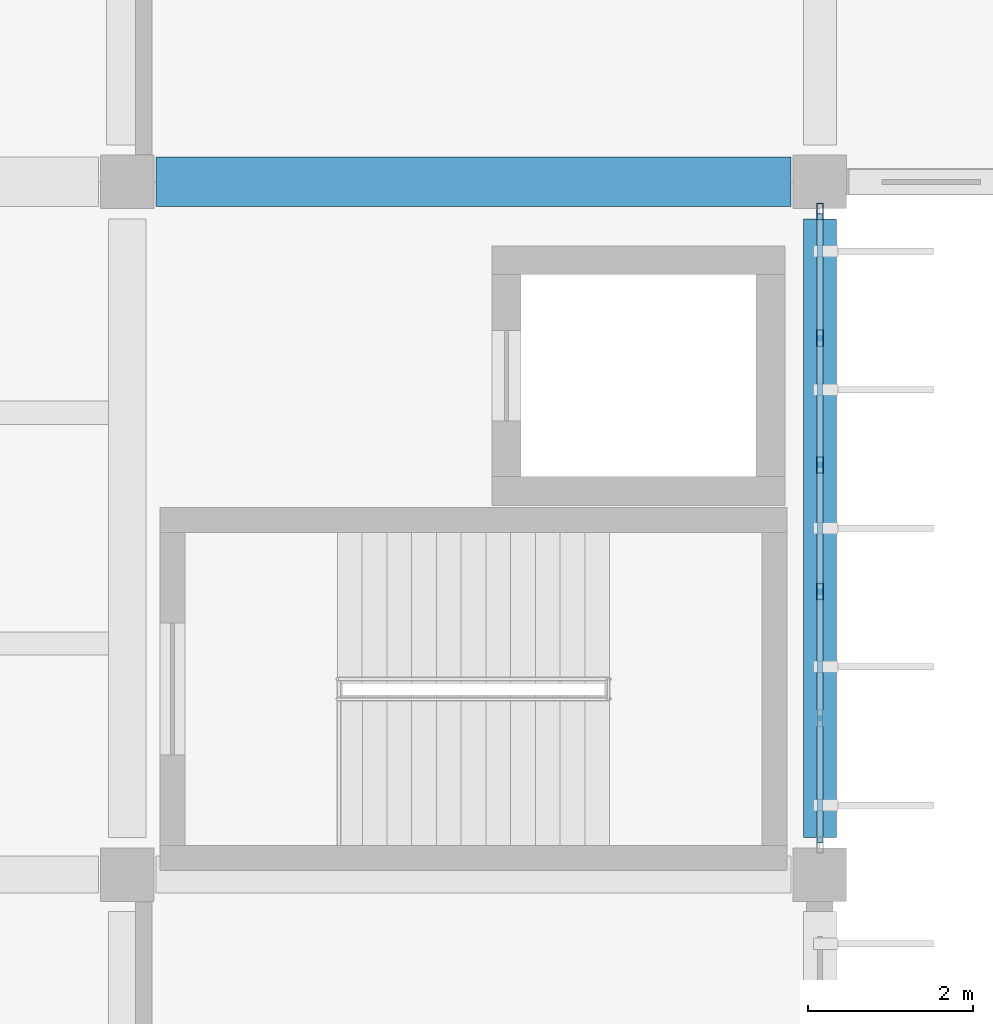
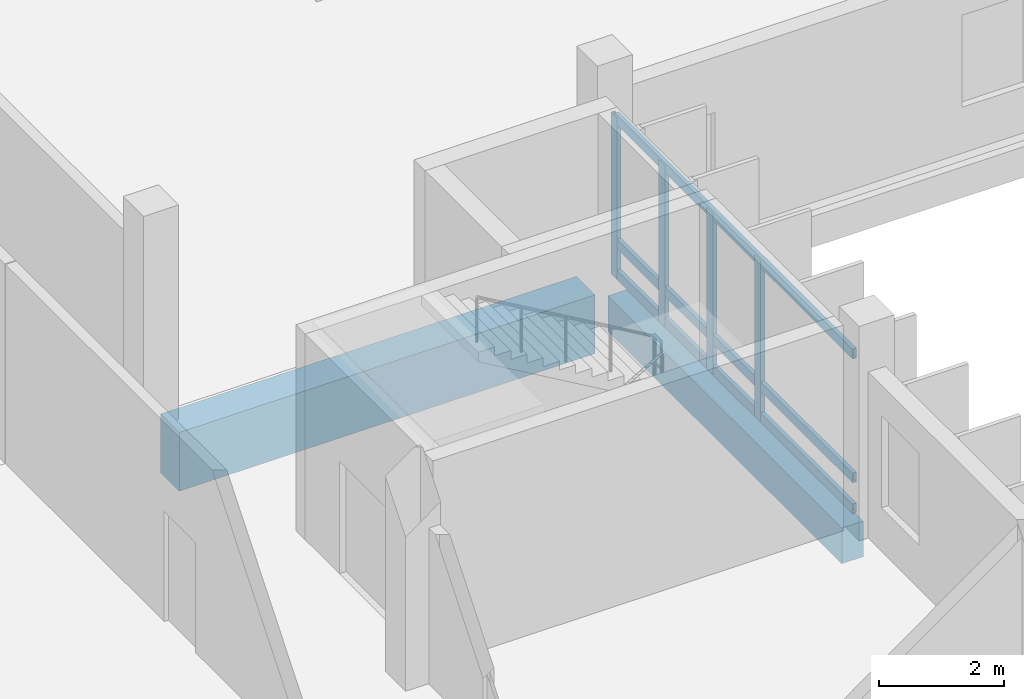
# One storey, part 59 of 101: 7 members, 2 beams, 1 element without a shape of its own.
"""IFC4 building model written with IfcOpenShell, lengths in metres."""

import ifcopenshell
import ifcopenshell.guid

model = None  # the IFC model being written
_history = None  # IfcOwnerHistory: only IFC2X3 demands one
_inside = {}  # id of a spatial element -> (the spatial element, [elements in it])
_under = {}  # id of a project, library or spatial element -> (it, [spatial elements below it])
_declared = {}  # id of a project -> (the project, [libraries it declares])
_typed = {}  # id of a type object -> (the type object, [elements of that type])
_made_of = {}  # id of a material, layer set ... -> (it, [elements and type objects made of it])


def new_model(schema):
    """Start an empty IFC model of exactly this schema.

    Asked for "IFC4X3", IfcOpenShell would pick the latest addendum, in which some entities
    have other attributes; the version numbers below select the first issue.
    IFC2X3 requires an IfcOwnerHistory on every rooted entity: one is made here for all.
    """
    global model, _history
    if schema == "IFC4X3":
        model = ifcopenshell.file(schema_version=(4, 3, 0, 0))
    else:
        model = ifcopenshell.file(schema=schema)
    _inside.clear()
    _under.clear()
    _declared.clear()
    _typed.clear()
    _made_of.clear()
    _history = None
    if model.schema == "IFC2X3":
        org = make("IfcOrganization", Name="unknown")
        user = make(
            "IfcPersonAndOrganization",
            ThePerson=make("IfcPerson", FamilyName="unknown"),
            TheOrganization=org,
        )
        app = make(
            "IfcApplication",
            ApplicationDeveloper=org,
            Version="unknown",
            ApplicationFullName="unknown",
            ApplicationIdentifier="unknown",
        )
        _history = make(
            "IfcOwnerHistory",
            OwningUser=user,
            OwningApplication=app,
            ChangeAction="ADDED",
            CreationDate=0,
        )
    return model


def make(cls, **values):
    """One entity of the class cls with the attributes given. An attribute that is None is left unset."""
    return model.create_entity(
        cls, **{name: value for name, value in values.items() if value is not None}
    )


def rooted(cls, **values):
    """An entity with a GlobalId (a new one), such as an element, a storey or a relation."""
    return make(cls, GlobalId=ifcopenshell.guid.new(), OwnerHistory=_history, **values)


def si_unit(unit_type, name, prefix=None):
    """IfcSIUnit, for example si_unit("LENGTHUNIT", "METRE", prefix="MILLI")."""
    return make("IfcSIUnit", UnitType=unit_type, Prefix=prefix, Name=name)


def assignment(units):
    """IfcUnitAssignment: the units of a project."""
    return None if units is None else make("IfcUnitAssignment", Units=units)


def point(xyz):
    """IfcCartesianPoint."""
    return None if xyz is None else make("IfcCartesianPoint", Coordinates=xyz)


def direction(xyz):
    """IfcDirection."""
    return None if xyz is None else make("IfcDirection", DirectionRatios=xyz)


def frame(location, z_axis=None, x_axis=None):
    """IfcAxis2Placement3D, a coordinate frame: its origin and axes. An axis left out is left unset."""
    return make(
        "IfcAxis2Placement3D",
        Location=point(location),
        Axis=direction(z_axis),
        RefDirection=direction(x_axis),
    )


def frame_2d(location, x_axis=None):
    """IfcAxis2Placement2D, a coordinate frame in the plane: its origin and x axis."""
    return make(
        "IfcAxis2Placement2D", Location=point(location), RefDirection=direction(x_axis)
    )


def origin():
    """The frame at (0, 0, 0) with its axes left unset."""
    return frame((0.0, 0.0, 0.0))


def origin_2d():
    """The frame at (0, 0) in the plane with its x axis left unset."""
    return frame_2d((0.0, 0.0))


def place(relative_to, where):
    """IfcLocalPlacement: puts the frame where relative to a parent placement (None: the world)."""
    return make(
        "IfcLocalPlacement", PlacementRelTo=relative_to, RelativePlacement=where
    )


def context(
    kind, dimensions, precision=None, world=None, true_north=None, identifier=None
):
    """IfcGeometricRepresentationContext, for example the 3D "Model" context."""
    return make(
        "IfcGeometricRepresentationContext",
        ContextIdentifier=identifier,
        ContextType=kind,
        CoordinateSpaceDimension=dimensions,
        Precision=precision,
        WorldCoordinateSystem=world,
        TrueNorth=true_north,
    )


def subcontext(parent, identifier, kind, view, scale=None):
    """IfcGeometricRepresentationSubContext, for example "Body" below "Model"."""
    return make(
        "IfcGeometricRepresentationSubContext",
        ContextIdentifier=identifier,
        ContextType=kind,
        ParentContext=parent,
        TargetScale=scale,
        TargetView=view,
    )


def project(units=None, contexts=None):
    """IfcProject with its units and contexts."""
    return rooted(
        "IfcProject",
        Name="project",
        RepresentationContexts=contexts,
        UnitsInContext=assignment(units),
    )


def spatial(cls, under=None, at=None, **own):
    """A site, building, storey or space (cls), placed at a placement, below another one or the project."""
    s = rooted(cls, ObjectPlacement=at, **own)
    if under is not None:
        _under.setdefault(under.id(), (under, []))[1].append(s)
    return s


def profile(cls, at=None, kind="AREA", **sizes):
    """A parametric profile (cls). Its sizes go by their IFC names, for example OverallWidth=200.0."""
    return make(cls, ProfileType=kind, Position=at, **sizes)


def rectangle(**sizes):
    """IfcRectangleProfileDef."""
    return profile("IfcRectangleProfileDef", **sizes)


def hollow_rectangle(**sizes):
    """IfcRectangleHollowProfileDef."""
    return profile("IfcRectangleHollowProfileDef", **sizes)


def extrude(swept, where, along, depth):
    """IfcExtrudedAreaSolid: the profile swept, set in the frame where, extruded along a direction by depth."""
    return make(
        "IfcExtrudedAreaSolid",
        SweptArea=swept,
        Position=where,
        ExtrudedDirection=direction(along),
        Depth=depth,
    )


def shape(context_of_items, identifier, shape_type, items):
    """IfcShapeRepresentation: the items that make up one representation, for example the "Body"."""
    return make(
        "IfcShapeRepresentation",
        ContextOfItems=context_of_items,
        RepresentationIdentifier=identifier,
        RepresentationType=shape_type,
        Items=items,
    )


def material(Name=None, Category=None):
    """IfcMaterial."""
    return make("IfcMaterial", Name=Name, Category=Category)


def layer(
    of_material, thickness, ventilated=None, Name=None, Category=None, Priority=None
):
    """IfcMaterialLayer: one layer of a wall or slab, of a material (None: an air gap)."""
    return make(
        "IfcMaterialLayer",
        Material=of_material,
        LayerThickness=thickness,
        IsVentilated=ventilated,
        Name=Name,
        Category=Category,
        Priority=Priority,
    )


def layer_set(layers, Name=None):
    """IfcMaterialLayerSet."""
    return make("IfcMaterialLayerSet", MaterialLayers=layers, LayerSetName=Name)


def material_profile(
    of_material, cross_section, Name=None, Category=None, Priority=None
):
    """IfcMaterialProfile: a cross section and its material."""
    return make(
        "IfcMaterialProfile",
        Name=Name,
        Material=of_material,
        Profile=cross_section,
        Priority=Priority,
        Category=Category,
    )


def profile_set(profiles, Name=None, composite=None):
    """IfcMaterialProfileSet."""
    return make(
        "IfcMaterialProfileSet",
        Name=Name,
        MaterialProfiles=profiles,
        CompositeProfile=composite,
    )


def made_of(thing, what):
    """Note that an element or type object is made of a material, layer set ...; save() writes the relation."""
    if what is not None:
        _made_of.setdefault(what.id(), (what, []))[1].append(thing)
    return thing


def type_object(cls, material=None, **own):
    """A type object (cls), such as IfcWallType, which elements share."""
    return made_of(rooted(cls, **own), material)


def element(
    cls,
    number,
    at=None,
    inside=None,
    cuts=None,
    type_object=None,
    material=None,
    context=None,
    identifier="Body",
    shape_type=None,
    held_by="IfcProductDefinitionShape",
    body=None,
    shapes=None,
    **own,
):
    """One element of the class cls, such as IfcWall. Its Tag is "e" and its number.

    at: its placement. inside: the storey or other place that contains it. cuts: it is an
    opening in that element (IfcRelVoidsElement). A single representation is given by context,
    identifier, shape_type and body (its items); several are given by shapes. held_by: the class
    of the entity that holds the representations. save() writes the other relations.
    """
    e = rooted(cls, Tag="e%d" % number, ObjectPlacement=at, **own)
    if body is not None:
        shapes = [shape(context, identifier, shape_type, body)]
    if shapes is not None:
        e.Representation = make(held_by, Representations=shapes)
    if inside is not None:
        _inside.setdefault(inside.id(), (inside, []))[1].append(e)
    if cuts is not None:
        rooted(
            "IfcRelVoidsElement", RelatingBuildingElement=cuts, RelatedOpeningElement=e
        )
    if type_object is not None:
        _typed.setdefault(type_object.id(), (type_object, []))[1].append(e)
    return made_of(e, material)


def aggregate(whole, parts):
    """IfcRelAggregates: a whole, such as a stair, and the parts it consists of."""
    return rooted("IfcRelAggregates", RelatingObject=whole, RelatedObjects=parts)


def save(model, path):
    """Write the relations noted so far, then the file.

    IfcRelAggregates (storeys below a building ...), IfcRelContainedInSpatialStructure (elements
    in a storey), IfcRelDefinesByType, IfcRelAssociatesMaterial and IfcRelDeclares: one each for
    every whole, place, type object, material and project.
    """
    for whole, parts in _under.values():
        aggregate(whole, parts)
    for where, things in _inside.values():
        rooted(
            "IfcRelContainedInSpatialStructure",
            RelatedElements=things,
            RelatingStructure=where,
        )
    for kind, things in _typed.values():
        rooted("IfcRelDefinesByType", RelatedObjects=things, RelatingType=kind)
    for what, things in _made_of.values():
        rooted("IfcRelAssociatesMaterial", RelatedObjects=things, RelatingMaterial=what)
    for by, libraries in _declared.values():
        rooted("IfcRelDeclares", RelatingContext=by, RelatedDefinitions=libraries)
    model.write(path)


model = new_model("IFC4")

# Units and contexts
model_context = context("Model", 3, precision=1e-05, world=origin(), true_north=direction((0.0, 1.0)))
body_context = subcontext(model_context, "Body", "Model", "MODEL_VIEW")
ifc_project = project(units=[si_unit("LENGTHUNIT", "METRE"), si_unit("AREAUNIT", "SQUARE_METRE"), si_unit("VOLUMEUNIT", "CUBIC_METRE"), si_unit("PLANEANGLEUNIT", "RADIAN"), si_unit("MASSUNIT", "GRAM", prefix="KILO")], contexts=[model_context])

# Site, building, storey
site_placement = place(None, origin())
site = spatial("IfcSite", under=ifc_project, at=site_placement, CompositionType="ELEMENT")
building_placement = place(site_placement, origin())
building = spatial("IfcBuilding", under=site, at=building_placement, Name="Vireocrest Preparatory School", CompositionType="ELEMENT")
storey_placement = place(building_placement, frame((0.0, 0.0, 4.800048828125)))
storey = spatial("IfcBuildingStorey", under=building, at=storey_placement, Name="L01", CompositionType="ELEMENT", Elevation=4.800048828125)

# Curtain wall, members
ifc_material_1 = material(Name="Thermally broken aluminium EN AW-6063-T6", Category="aluminium")
ifc_layer = layer(ifc_material_1, 0.179931640625)
ifc_layer_set = layer_set([ifc_layer], Name="Thermally broken aluminium EN AW-6063-T6")
curtain_wall_type = type_object("IfcCurtainWallType", Name="Teaching Fin Curtain Wall 8400x4200", PredefinedType="USERDEFINED", material=ifc_layer_set)
curtain_wall_placement = place(storey_placement, origin())
curtain_wall = element("IfcCurtainWall", 1, at=curtain_wall_placement, inside=storey, type_object=curtain_wall_type, Name="Curtain Wall CW03 CW_L01_CW03_1092_0777_048", ObjectType="CURTAIN WALL", PredefinedType="USERDEFINED")
ifc_material_profile_1 = material_profile(ifc_material_1, hollow_rectangle(XDim=0.074951171875, YDim=0.199951171875, WallThickness=0.0048828125, at=origin_2d()), Name="ALU 75x200x5")
ifc_profile_set_1 = profile_set([ifc_material_profile_1], Name="Thermally broken aluminium EN AW-6063-T6")
member_type_1 = type_object("IfcMemberType", Name="CW Mullion 75x200x5", PredefinedType="MULLION", material=ifc_profile_set_1)
member_1_placement = place(storey_placement, frame((109.199951171875, 80.83203125, 0.0), z_axis=(0.0, 0.0, 1.0), x_axis=(1.0, 0.0, 0.0)))
member_1 = element("IfcMember", 2, at=member_1_placement, type_object=member_type_1, Name="CW Mullion ML3 CW_L01_CW03_1092_0777_048-3", PredefinedType="MULLION", context=body_context, shape_type="SweptSolid", body=[
    extrude(hollow_rectangle(XDim=0.074951171875, YDim=0.199951171875, WallThickness=0.0048828125, at=origin_2d()), origin(), (0.0, 0.0, 1.0), 3.1650390625),
])
member_2_placement = place(storey_placement, frame((109.199951171875, 82.367919921875, 0.0), z_axis=(0.0, 0.0, 1.0), x_axis=(1.0, 0.0, 0.0)))
member_2 = element("IfcMember", 3, at=member_2_placement, type_object=member_type_1, Name="CW Mullion ML3 CW_L01_CW03_1092_0777_048-4", PredefinedType="MULLION", context=body_context, shape_type="SweptSolid", body=[
    extrude(hollow_rectangle(XDim=0.074951171875, YDim=0.199951171875, WallThickness=0.0048828125, at=origin_2d()), origin(), (0.0, 0.0, 1.0), 3.1650390625),
])
member_3_placement = place(storey_placement, frame((109.199951171875, 83.904052734375, 0.0), z_axis=(0.0, 0.0, 1.0), x_axis=(1.0, 0.0, 0.0)))
member_3 = element("IfcMember", 4, at=member_3_placement, type_object=member_type_1, Name="CW Mullion ML3 CW_L01_CW03_1092_0777_048-5", PredefinedType="MULLION", context=body_context, shape_type="SweptSolid", body=[
    extrude(hollow_rectangle(XDim=0.074951171875, YDim=0.199951171875, WallThickness=0.0048828125, at=origin_2d()), origin(), (0.0, 0.0, 1.0), 3.1650390625),
])
member_4_placement = place(storey_placement, frame((109.199951171875, 85.43994140625, 0.0), z_axis=(0.0, 0.0, 1.0), x_axis=(1.0, 0.0, 0.0)))
member_4 = element("IfcMember", 5, at=member_4_placement, type_object=member_type_1, Name="CW Mullion ML3 CW_L01_CW03_1092_0777_048-6", PredefinedType="MULLION", context=body_context, shape_type="SweptSolid", body=[
    extrude(hollow_rectangle(XDim=0.074951171875, YDim=0.199951171875, WallThickness=0.0048828125, at=origin_2d()), origin(), (0.0, 0.0, 1.0), 3.1650390625),
])
ifc_material_profile_2 = material_profile(ifc_material_1, hollow_rectangle(XDim=0.074951171875, YDim=0.18994140625, WallThickness=0.00390625, at=origin_2d()), Name="ALU 75x190x4")
ifc_profile_set_2 = profile_set([ifc_material_profile_2], Name="Thermally broken aluminium EN AW-6063-T6")
member_type_2 = type_object("IfcMemberType", Name="CW Transom 75x190x4", PredefinedType="USERDEFINED", material=ifc_profile_set_2)
member_5_placement = place(storey_placement, frame((109.199951171875, 77.784912109375, 0.094970703125), z_axis=(0.0, 1.0, 0.0), x_axis=(-1.0, 0.0, 0.0)))
member_5 = element("IfcMember", 6, at=member_5_placement, type_object=member_type_2, Name="CW Transom TR3 CW_L01_CW03_1092_0777_048-1", ObjectType="TRANSOM", PredefinedType="USERDEFINED", context=body_context, shape_type="SweptSolid", body=[
    extrude(hollow_rectangle(XDim=0.074951171875, YDim=0.18994140625, WallThickness=0.00390625, at=origin_2d()), origin(), (0.0, 0.0, 1.0), 7.630126953125),
])
member_6_placement = place(storey_placement, frame((109.199951171875, 77.784912109375, 0.699951171875), z_axis=(0.0, 1.0, 0.0), x_axis=(-1.0, 0.0, 0.0)))
member_6 = element("IfcMember", 7, at=member_6_placement, type_object=member_type_2, Name="CW Transom TR3 CW_L01_CW03_1092_0777_048-2", ObjectType="TRANSOM", PredefinedType="USERDEFINED", context=body_context, shape_type="SweptSolid", body=[
    extrude(hollow_rectangle(XDim=0.074951171875, YDim=0.18994140625, WallThickness=0.00390625, at=origin_2d()), origin(), (0.0, 0.0, 1.0), 7.630126953125),
])
member_7_placement = place(storey_placement, frame((109.199951171875, 77.784912109375, 3.125), z_axis=(0.0, 1.0, 0.0), x_axis=(-1.0, 0.0, 0.0)))
member_7 = element("IfcMember", 8, at=member_7_placement, type_object=member_type_2, Name="CW Transom TR3 CW_L01_CW03_1092_0777_048-3", ObjectType="TRANSOM", PredefinedType="USERDEFINED", context=body_context, shape_type="SweptSolid", body=[
    extrude(hollow_rectangle(XDim=0.074951171875, YDim=0.18994140625, WallThickness=0.00390625, at=origin_2d()), origin(), (0.0, 0.0, 1.0), 7.630126953125),
])
aggregate(curtain_wall, [member_1, member_2, member_3, member_4, member_5, member_6, member_7])

# Beams
ifc_material_2 = material(Name="Concrete 40 MPa", Category="concrete")
ifc_material_profile_3 = material_profile(ifc_material_2, rectangle(XDim=0.39990234375, YDim=0.699951171875, at=origin_2d()), Name="RC 400x700")
ifc_profile_set_3 = profile_set([ifc_material_profile_3], Name="Concrete 40 MPa")
beam_type_1 = type_object("IfcBeamType", Name="RC Corridor Girder 400x700", PredefinedType="BEAM", material=ifc_profile_set_3)
beam_1_placement = place(storey_placement, frame((109.199951171875, 77.85009765625, -0.610107421875), z_axis=(0.0, 1.0, 0.0), x_axis=(-1.0, 0.0, 0.0)))
element("IfcBeam", 9, at=beam_1_placement, inside=storey, type_object=beam_type_1, Name="Primary Girder B08 L01-0469", PredefinedType="BEAM", context=body_context, shape_type="SweptSolid", body=[
    extrude(rectangle(XDim=0.39990234375, YDim=0.699951171875, at=origin_2d()), origin(), (0.0, 0.0, 1.0), 7.5),
])
ifc_material_profile_4 = material_profile(ifc_material_2, rectangle(XDim=0.60009765625, YDim=1.14990234375, at=origin_2d()), Name="RC 600x1150")
ifc_profile_set_4 = profile_set([ifc_material_profile_4], Name="Concrete 40 MPa")
beam_type_2 = type_object("IfcBeamType", Name="RC Heavy Transfer Girder 600x1150", PredefinedType="BEAM", material=ifc_profile_set_4)
beam_2_placement = place(storey_placement, frame((101.14990234375, 85.800048828125, -0.85498046875), z_axis=(1.0, 0.0, 0.0), x_axis=(0.0, 1.0, 0.0)))
element("IfcBeam", 10, at=beam_2_placement, inside=storey, type_object=beam_type_2, Name="Primary Girder B20 L01-0342", PredefinedType="BEAM", context=body_context, shape_type="SweptSolid", body=[
    extrude(rectangle(XDim=0.60009765625, YDim=1.14990234375, at=origin_2d()), origin(), (0.0, 0.0, 1.0), 7.7001953125),
])

save(model, "model.ifc")
